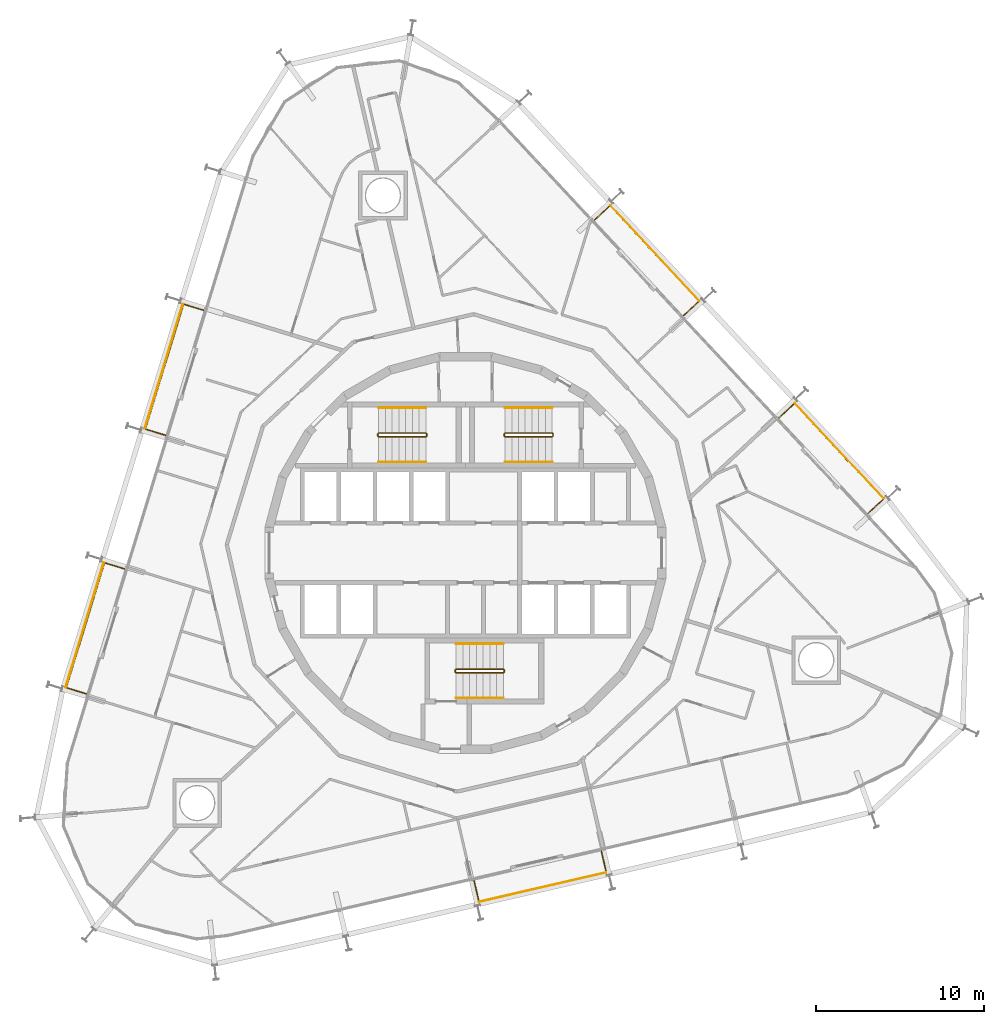
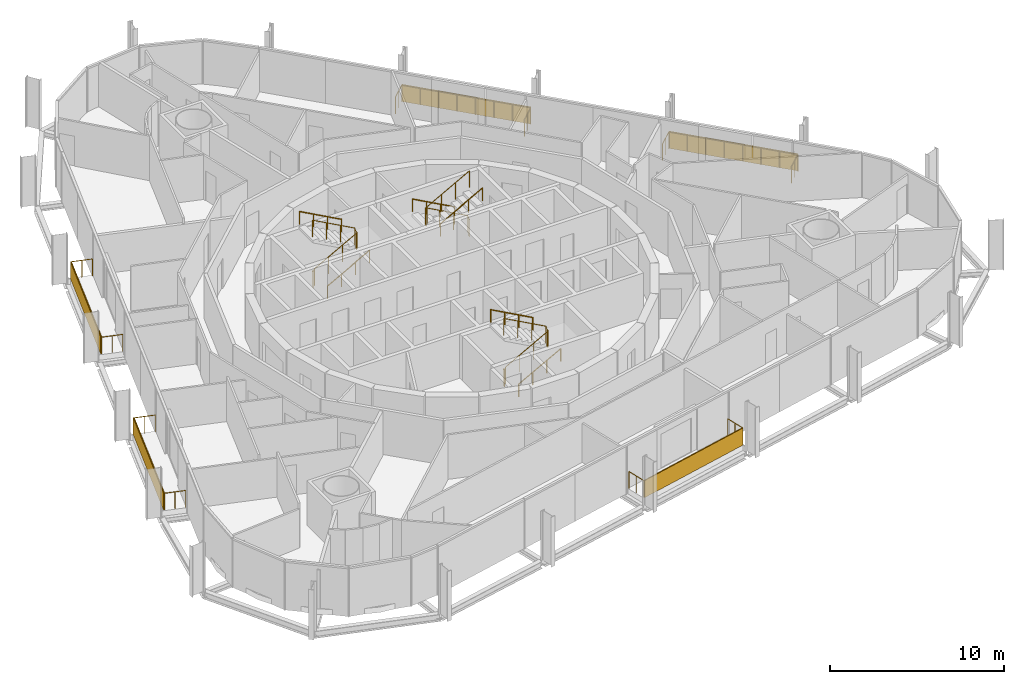
# One storey, part 18 of 18: 14 railings, 5 shading devices.
"""IFC4 building model written with IfcOpenShell, lengths in metres."""

from ifc_helpers import new_model, si_unit, direction, frame, origin, origin_2d, place, context, subcontext, project, spatial, rectangle, circle, extrude, material, layer, layer_set, type_object, element, save


model = new_model("IFC4")

# Units and contexts
model_context = context("Model", 3, precision=1e-05, world=origin(), true_north=direction((0.0, 1.0)))
body_context = subcontext(model_context, "Body", "Model", "MODEL_VIEW")
ifc_project = project(units=[si_unit("LENGTHUNIT", "METRE"), si_unit("AREAUNIT", "SQUARE_METRE"), si_unit("VOLUMEUNIT", "CUBIC_METRE"), si_unit("PLANEANGLEUNIT", "RADIAN"), si_unit("MASSUNIT", "GRAM", prefix="KILO")], contexts=[model_context])

# Site, building, storey
site_placement = place(None, origin())
site = spatial("IfcSite", under=ifc_project, at=site_placement, CompositionType="ELEMENT")
building_placement = place(site_placement, origin())
building = spatial("IfcBuilding", under=site, at=building_placement, Name="Spindle Arch Residences", CompositionType="ELEMENT")
storey_placement = place(building_placement, frame((0.0, 0.0, 123.89990234375)))
storey = spatial("IfcBuildingStorey", under=building, at=storey_placement, Name="L30", CompositionType="ELEMENT", Elevation=123.89990234375)

# Railings
ifc_material_1 = material(Name="Bronze anodised aluminium guard with glass infill", Category="aluminium")
railing_type_1 = type_object("IfcRailingType", Name="Balcony guard 1200", PredefinedType="GUARDRAIL", material=ifc_material_1)
railing_1_placement = place(storey_placement, frame((23.90185546875, 2.34619140625, 0.0)))
element("IfcRailing", 1, at=railing_1_placement, inside=storey, type_object=railing_type_1, Name="Guard L30 bay 6", PredefinedType="GUARDRAIL", context=body_context, shape_type="SweptSolid", body=[
    extrude(circle(Radius=0.02392578125, at=origin_2d()), frame((0.0, 0.0, 1.17578125), z_axis=(0.731379904041, 0.681970260323, 0.0), x_axis=(-0.681970260323, 0.731379904041, 0.0)), (0.0, 0.0, 1.0), 1.25),
    extrude(circle(Radius=0.02392578125, at=origin_2d()), frame((0.914306640625, 0.8525390625, 1.17578125), z_axis=(-0.681991953625, 0.731359675666, 0.0), x_axis=(-0.731359675666, -0.681991953625, 0.0)), (0.0, 0.0, 1.0), 7.75927734375),
    extrude(circle(Radius=0.02392578125, at=origin_2d()), frame((-4.37744140625, 6.52734375, 1.17578125), z_axis=(-0.731379904041, -0.681970260323, 0.0), x_axis=(0.681970260323, -0.731379904041, 0.0)), (0.0, 0.0, 1.0), 1.25),
    extrude(circle(Radius=0.02099609375, at=origin_2d()), origin(), (0.0, 0.0, 1.0), 1.15185546875),
    extrude(circle(Radius=0.02099609375, at=origin_2d()), frame((0.45703125, 0.42626953125, 0.0)), (0.0, 0.0, 1.0), 1.15185546875),
    extrude(circle(Radius=0.02099609375, at=origin_2d()), frame((0.914306640625, 0.8525390625, 0.0)), (0.0, 0.0, 1.0), 1.15185546875),
    extrude(circle(Radius=0.02099609375, at=origin_2d()), frame((0.158447265625, 1.663330078125, 0.0)), (0.0, 0.0, 1.0), 1.15185546875),
    extrude(circle(Radius=0.02099609375, at=origin_2d()), frame((-0.59765625, 2.473876953125, 0.0)), (0.0, 0.0, 1.0), 1.15185546875),
    extrude(circle(Radius=0.02099609375, at=origin_2d()), frame((-1.353515625, 3.28466796875, 0.0)), (0.0, 0.0, 1.0), 1.15185546875),
    extrude(circle(Radius=0.02099609375, at=origin_2d()), frame((-2.109619140625, 4.09521484375, 0.0)), (0.0, 0.0, 1.0), 1.15185546875),
    extrude(circle(Radius=0.02099609375, at=origin_2d()), frame((-2.865478515625, 4.906005859375, 0.0)), (0.0, 0.0, 1.0), 1.15185546875),
    extrude(circle(Radius=0.02099609375, at=origin_2d()), frame((-3.62158203125, 5.716552734375, 0.0)), (0.0, 0.0, 1.0), 1.15185546875),
    extrude(circle(Radius=0.02099609375, at=origin_2d()), frame((-4.37744140625, 6.52734375, 0.0)), (0.0, 0.0, 1.0), 1.15185546875),
    extrude(circle(Radius=0.02099609375, at=origin_2d()), frame((-4.83447265625, 6.10107421875, 0.0)), (0.0, 0.0, 1.0), 1.15185546875),
    extrude(circle(Radius=0.02099609375, at=origin_2d()), frame((-5.291748046875, 5.6748046875, 0.0)), (0.0, 0.0, 1.0), 1.15185546875),
])
railing_2_placement = place(storey_placement, frame((12.9501953125, 14.090576171875, 0.0)))
element("IfcRailing", 2, at=railing_2_placement, inside=storey, type_object=railing_type_1, Name="Guard L30 bay 8", PredefinedType="GUARDRAIL", context=body_context, shape_type="SweptSolid", body=[
    extrude(circle(Radius=0.02392578125, at=origin_2d()), frame((0.0, 0.0, 1.17578125), z_axis=(0.731289056092, 0.682067677317, 0.0), x_axis=(-0.682067677317, 0.731289056092, 0.0)), (0.0, 0.0, 1.0), 1.25),
    extrude(circle(Radius=0.02392578125, at=origin_2d()), frame((0.9140625, 0.8525390625, 1.17578125), z_axis=(-0.682007647712, 0.731345040635, 0.0), x_axis=(-0.731345040635, -0.682007647712, 0.0)), (0.0, 0.0, 1.0), 7.759033203125),
    extrude(circle(Radius=0.02392578125, at=origin_2d()), frame((-4.377685546875, 6.527099609375, 1.17578125), z_axis=(-0.731386486467, -0.681963200923, 0.0), x_axis=(0.681963200923, -0.731386486467, 0.0)), (0.0, 0.0, 1.0), 1.249755859375),
    extrude(circle(Radius=0.02099609375, at=origin_2d()), origin(), (0.0, 0.0, 1.0), 1.15185546875),
    extrude(circle(Radius=0.02099609375, at=origin_2d()), frame((0.45703125, 0.42626953125, 0.0)), (0.0, 0.0, 1.0), 1.15185546875),
    extrude(circle(Radius=0.02099609375, at=origin_2d()), frame((0.9140625, 0.8525390625, 0.0)), (0.0, 0.0, 1.0), 1.15185546875),
    extrude(circle(Radius=0.02099609375, at=origin_2d()), frame((0.158203125, 1.6630859375, 0.0)), (0.0, 0.0, 1.0), 1.15185546875),
    extrude(circle(Radius=0.02099609375, at=origin_2d()), frame((-0.597900390625, 2.473876953125, 0.0)), (0.0, 0.0, 1.0), 1.15185546875),
    extrude(circle(Radius=0.02099609375, at=origin_2d()), frame((-1.353759765625, 3.284423828125, 0.0)), (0.0, 0.0, 1.0), 1.15185546875),
    extrude(circle(Radius=0.02099609375, at=origin_2d()), frame((-2.10986328125, 4.09521484375, 0.0)), (0.0, 0.0, 1.0), 1.15185546875),
    extrude(circle(Radius=0.02099609375, at=origin_2d()), frame((-2.86572265625, 4.90576171875, 0.0)), (0.0, 0.0, 1.0), 1.15185546875),
    extrude(circle(Radius=0.02099609375, at=origin_2d()), frame((-3.621826171875, 5.716552734375, 0.0)), (0.0, 0.0, 1.0), 1.15185546875),
    extrude(circle(Radius=0.02099609375, at=origin_2d()), frame((-4.377685546875, 6.527099609375, 0.0)), (0.0, 0.0, 1.0), 1.15185546875),
    extrude(circle(Radius=0.02099609375, at=origin_2d()), frame((-4.834716796875, 6.10107421875, 0.0)), (0.0, 0.0, 1.0), 1.15185546875),
    extrude(circle(Radius=0.02099609375, at=origin_2d()), frame((-5.291748046875, 5.6748046875, 0.0)), (0.0, 0.0, 1.0), 1.15185546875),
])
railing_3_placement = place(storey_placement, frame((-15.5478515625, 14.40771484375, 0.0)))
element("IfcRailing", 3, at=railing_3_placement, inside=storey, type_object=railing_type_1, Name="Guard L30 bay 14", PredefinedType="GUARDRAIL", context=body_context, shape_type="SweptSolid", body=[
    extrude(circle(Radius=0.02392578125, at=origin_2d()), frame((0.0, 0.0, 1.17578125), z_axis=(-0.95629696894, 0.292397173714, 0.0), x_axis=(-0.292397173714, -0.95629696894, 0.0)), (0.0, 0.0, 1.0), 1.25),
    extrude(circle(Radius=0.02392578125, at=origin_2d()), frame((-1.1953125, 0.365478515625, 1.17578125), z_axis=(-0.29236961561, -0.956305394666, 0.0), x_axis=(0.956305394666, -0.29236961561, 0.0)), (0.0, 0.0, 1.0), 7.75927734375),
    extrude(circle(Radius=0.02392578125, at=origin_2d()), frame((-3.4638671875, -7.0546875, 1.17578125), z_axis=(0.95629696894, -0.292397173714, 0.0), x_axis=(0.292397173714, 0.95629696894, 0.0)), (0.0, 0.0, 1.0), 1.25),
    extrude(circle(Radius=0.02099609375, at=origin_2d()), origin(), (0.0, 0.0, 1.0), 1.15185546875),
    extrude(circle(Radius=0.02099609375, at=origin_2d()), frame((-0.59765625, 0.1826171875, 0.0)), (0.0, 0.0, 1.0), 1.15185546875),
    extrude(circle(Radius=0.02099609375, at=origin_2d()), frame((-1.1953125, 0.365478515625, 0.0)), (0.0, 0.0, 1.0), 1.15185546875),
    extrude(circle(Radius=0.02099609375, at=origin_2d()), frame((-1.519287109375, -0.694580078125, 0.0)), (0.0, 0.0, 1.0), 1.15185546875),
    extrude(circle(Radius=0.02099609375, at=origin_2d()), frame((-1.843505859375, -1.754638671875, 0.0)), (0.0, 0.0, 1.0), 1.15185546875),
    extrude(circle(Radius=0.02099609375, at=origin_2d()), frame((-2.16748046875, -2.814697265625, 0.0)), (0.0, 0.0, 1.0), 1.15185546875),
    extrude(circle(Radius=0.02099609375, at=origin_2d()), frame((-2.49169921875, -3.87451171875, 0.0)), (0.0, 0.0, 1.0), 1.15185546875),
    extrude(circle(Radius=0.02099609375, at=origin_2d()), frame((-2.815673828125, -4.9345703125, 0.0)), (0.0, 0.0, 1.0), 1.15185546875),
    extrude(circle(Radius=0.02099609375, at=origin_2d()), frame((-3.139892578125, -5.99462890625, 0.0)), (0.0, 0.0, 1.0), 1.15185546875),
    extrude(circle(Radius=0.02099609375, at=origin_2d()), frame((-3.4638671875, -7.0546875, 0.0)), (0.0, 0.0, 1.0), 1.15185546875),
    extrude(circle(Radius=0.02099609375, at=origin_2d()), frame((-2.8662109375, -7.2373046875, 0.0)), (0.0, 0.0, 1.0), 1.15185546875),
    extrude(circle(Radius=0.02099609375, at=origin_2d()), frame((-2.2685546875, -7.420166015625, 0.0)), (0.0, 0.0, 1.0), 1.15185546875),
])
railing_4_placement = place(storey_placement, frame((-20.242919921875, -0.948974609375, 0.0)))
element("IfcRailing", 4, at=railing_4_placement, inside=storey, type_object=railing_type_1, Name="Guard L30 bay 16", PredefinedType="GUARDRAIL", context=body_context, shape_type="SweptSolid", body=[
    extrude(circle(Radius=0.02392578125, at=origin_2d()), frame((0.0, 0.0, 1.17578125), z_axis=(-0.95629696894, 0.292397173714, 0.0), x_axis=(-0.292397173714, -0.95629696894, 0.0)), (0.0, 0.0, 1.0), 1.25),
    extrude(circle(Radius=0.02392578125, at=origin_2d()), frame((-1.1953125, 0.365478515625, 1.17578125), z_axis=(-0.29236961561, -0.956305394666, 0.0), x_axis=(0.956305394666, -0.29236961561, 0.0)), (0.0, 0.0, 1.0), 7.75927734375),
    extrude(circle(Radius=0.02392578125, at=origin_2d()), frame((-3.4638671875, -7.0546875, 1.17578125), z_axis=(0.95629696894, -0.292397173714, 0.0), x_axis=(0.292397173714, 0.95629696894, 0.0)), (0.0, 0.0, 1.0), 1.25),
    extrude(circle(Radius=0.02099609375, at=origin_2d()), origin(), (0.0, 0.0, 1.0), 1.15185546875),
    extrude(circle(Radius=0.02099609375, at=origin_2d()), frame((-0.59765625, 0.1826171875, 0.0)), (0.0, 0.0, 1.0), 1.15185546875),
    extrude(circle(Radius=0.02099609375, at=origin_2d()), frame((-1.1953125, 0.365478515625, 0.0)), (0.0, 0.0, 1.0), 1.15185546875),
    extrude(circle(Radius=0.02099609375, at=origin_2d()), frame((-1.519287109375, -0.694580078125, 0.0)), (0.0, 0.0, 1.0), 1.15185546875),
    extrude(circle(Radius=0.02099609375, at=origin_2d()), frame((-1.843505859375, -1.754638671875, 0.0)), (0.0, 0.0, 1.0), 1.15185546875),
    extrude(circle(Radius=0.02099609375, at=origin_2d()), frame((-2.16748046875, -2.814697265625, 0.0)), (0.0, 0.0, 1.0), 1.15185546875),
    extrude(circle(Radius=0.02099609375, at=origin_2d()), frame((-2.49169921875, -3.87451171875, 0.0)), (0.0, 0.0, 1.0), 1.15185546875),
    extrude(circle(Radius=0.02099609375, at=origin_2d()), frame((-2.815673828125, -4.9345703125, 0.0)), (0.0, 0.0, 1.0), 1.15185546875),
    extrude(circle(Radius=0.02099609375, at=origin_2d()), frame((-3.139892578125, -5.99462890625, 0.0)), (0.0, 0.0, 1.0), 1.15185546875),
    extrude(circle(Radius=0.02099609375, at=origin_2d()), frame((-3.4638671875, -7.0546875, 0.0)), (0.0, 0.0, 1.0), 1.15185546875),
    extrude(circle(Radius=0.02099609375, at=origin_2d()), frame((-2.8662109375, -7.2373046875, 0.0)), (0.0, 0.0, 1.0), 1.15185546875),
    extrude(circle(Radius=0.02099609375, at=origin_2d()), frame((-2.2685546875, -7.420166015625, 0.0)), (0.0, 0.0, 1.0), 1.15185546875),
])
railing_5_placement = place(storey_placement, frame((0.51220703125, -19.464599609375, 0.0)))
element("IfcRailing", 5, at=railing_5_placement, inside=storey, type_object=railing_type_1, Name="Guard L30 bay 22", PredefinedType="GUARDRAIL", context=body_context, shape_type="SweptSolid", body=[
    extrude(circle(Radius=0.02392578125, at=origin_2d()), frame((0.0, 0.0, 1.17578125), z_axis=(0.224802449297, -0.974404361028, 0.0), x_axis=(0.974404361028, 0.224802449297, 0.0)), (0.0, 0.0, 1.0), 1.25),
    extrude(circle(Radius=0.02392578125, at=origin_2d()), frame((0.281005859375, -1.218017578125, 1.17578125), z_axis=(0.974365204353, 0.224972106149, 0.0), x_axis=(-0.224972106149, 0.974365204353, 0.0)), (0.0, 0.0, 1.0), 7.75927734375),
    extrude(circle(Radius=0.02392578125, at=origin_2d()), frame((7.84130859375, 0.527587890625, 1.17578125), z_axis=(-0.224845239705, 0.974394487968, 0.0), x_axis=(-0.974394487968, -0.224845239705, 0.0)), (0.0, 0.0, 1.0), 1.249755859375),
    extrude(circle(Radius=0.02099609375, at=origin_2d()), origin(), (0.0, 0.0, 1.0), 1.15185546875),
    extrude(circle(Radius=0.02099609375, at=origin_2d()), frame((0.140625, -0.60888671875, 0.0)), (0.0, 0.0, 1.0), 1.15185546875),
    extrude(circle(Radius=0.02099609375, at=origin_2d()), frame((0.281005859375, -1.218017578125, 0.0)), (0.0, 0.0, 1.0), 1.15185546875),
    extrude(circle(Radius=0.02099609375, at=origin_2d()), frame((1.361083984375, -0.96875, 0.0)), (0.0, 0.0, 1.0), 1.15185546875),
    extrude(circle(Radius=0.02099609375, at=origin_2d()), frame((2.441162109375, -0.71923828125, 0.0)), (0.0, 0.0, 1.0), 1.15185546875),
    extrude(circle(Radius=0.02099609375, at=origin_2d()), frame((3.521240234375, -0.469970703125, 0.0)), (0.0, 0.0, 1.0), 1.15185546875),
    extrude(circle(Radius=0.02099609375, at=origin_2d()), frame((4.60107421875, -0.220458984375, 0.0)), (0.0, 0.0, 1.0), 1.15185546875),
    extrude(circle(Radius=0.02099609375, at=origin_2d()), frame((5.68115234375, 0.02880859375, 0.0)), (0.0, 0.0, 1.0), 1.15185546875),
    extrude(circle(Radius=0.02099609375, at=origin_2d()), frame((6.76123046875, 0.2783203125, 0.0)), (0.0, 0.0, 1.0), 1.15185546875),
    extrude(circle(Radius=0.02099609375, at=origin_2d()), frame((7.84130859375, 0.527587890625, 0.0)), (0.0, 0.0, 1.0), 1.15185546875),
    extrude(circle(Radius=0.02099609375, at=origin_2d()), frame((7.70068359375, 1.136474609375, 0.0)), (0.0, 0.0, 1.0), 1.15185546875),
    extrude(circle(Radius=0.02099609375, at=origin_2d()), frame((7.560302734375, 1.745361328125, 0.0)), (0.0, 0.0, 1.0), 1.15185546875),
])

# Shading devices
ifc_material_2 = material(Name="Bronze perforated cobogo screen")
ifc_layer = layer(ifc_material_2, 0.0390625)
ifc_layer_set = layer_set([ifc_layer], Name="Cobogo screen 1200")
shading_device_type = type_object("IfcShadingDeviceType", Name="Cobogo screen 1200", PredefinedType="USERDEFINED", material=ifc_layer_set)
for number, where, z_axis, x_axis, name in (
    (6, (22.199951171875, 6.063720703125, 0.0), (0.0, 0.0, 1.0), (-0.681998360062, 0.731353701619, 0.0), "Cobogo screen L30 bay 6"),
    (7, (11.248046875, 17.80810546875, 0.0), (0.0, 0.0, 1.0), (-0.681998360062, 0.731353701619, 0.0), "Cobogo screen L30 bay 8"),
    (8, (-17.916259765625, 11.074951171875, 0.0), (0.0, 0.0, 1.0), (-0.292371704723, -0.956304755963, 0.0), "Cobogo screen L30 bay 14"),
    (9, (-22.611328125, -4.28173828125, 0.0), (0.0, 0.0, 1.0), (-0.292371704723, -0.956304755963, 0.0), "Cobogo screen L30 bay 16"),
    (10, (4.58251953125, -19.849365234375, 0.0), (0.0, 0.0, 1.0), (0.974370064785, 0.224951054344, 0.0), "Cobogo screen L30 bay 22"),
):
    element("IfcShadingDevice", number, at=place(storey_placement, frame(where, z_axis=z_axis, x_axis=x_axis)), inside=storey, type_object=shading_device_type, Name=name, ObjectType="SCREEN", PredefinedType="USERDEFINED", context=body_context, shape_type="SweptSolid", body=[
        extrude(rectangle(XDim=7.75927734375, YDim=0.0390625, at=origin_2d()), origin(), (0.0, 0.0, 1.0), 1.199951171875),
    ])

# Railings
ifc_material_3 = material(Name="Steel, painted", Category="steel")
railing_type_2 = type_object("IfcRailingType", Name="Stair guard 1100", PredefinedType="GUARDRAIL", material=ifc_material_3)
railing_6_placement = place(storey_placement, frame((5.14990234375, 6.89990234375, 3.5)))
element("IfcRailing", 11, at=railing_6_placement, inside=storey, type_object=railing_type_2, Name="L30 ST1 stair guard 1", PredefinedType="GUARDRAIL", context=body_context, shape_type="SweptSolid", body=[
    extrude(circle(Radius=0.02392578125, at=origin_2d()), frame((0.0, 0.0, 1.17578125), z_axis=(-0.877357048833, 0.0, -0.479838106931), x_axis=(0.0, -1.0, 0.0)), (0.0, 0.0, 1.0), 3.191162109375),
    extrude(circle(Radius=0.02392578125, at=origin_2d()), frame((-2.7998046875, 0.0, -0.35546875), z_axis=(-0.217683172539, 0.217683172539, -0.951434744366), x_axis=(-0.707106781187, -0.707106781187, 0.0)), (0.0, 0.0, 1.0), 0.22998046875),
    extrude(circle(Radius=0.02392578125, at=origin_2d()), frame((-2.849853515625, 0.050048828125, -0.57421875), z_axis=(0.0, 1.0, 0.0), x_axis=(-1.0, 0.0, 0.0)), (0.0, 0.0, 1.0), 0.1201171875),
    extrude(circle(Radius=0.02392578125, at=origin_2d()), frame((-2.849853515625, 0.170166015625, -0.57421875), z_axis=(0.707106781187, 0.707106781187, 0.0), x_axis=(-0.707106781187, 0.707106781187, 0.0)), (0.0, 0.0, 1.0), 0.07080078125),
    extrude(circle(Radius=0.02392578125, at=origin_2d()), frame((-2.7998046875, 0.22021484375, -0.57421875), z_axis=(0.877357048833, 0.0, -0.479838106931), x_axis=(0.0, 1.0, 0.0)), (0.0, 0.0, 1.0), 3.191162109375),
    extrude(circle(Radius=0.02392578125, at=origin_2d()), frame((0.0, 0.22021484375, -2.10546875), z_axis=(0.217683172539, -0.217683172539, -0.951434744366), x_axis=(0.707106781187, 0.707106781187, 0.0)), (0.0, 0.0, 1.0), 0.22998046875),
    extrude(circle(Radius=0.02392578125, at=origin_2d()), frame((0.050048828125, 0.170166015625, -2.32421875), z_axis=(0.0, -1.0, 0.0), x_axis=(1.0, 0.0, 0.0)), (0.0, 0.0, 1.0), 0.1201171875),
    extrude(circle(Radius=0.02099609375, at=origin_2d()), origin(), (0.0, 0.0, 1.0), 1.15185546875),
    extrude(circle(Radius=0.02099609375, at=origin_2d()), frame((-0.933349609375, 0.0, -0.510498046875)), (0.0, 0.0, 1.0), 1.15185546875),
    extrude(circle(Radius=0.02099609375, at=origin_2d()), frame((-1.866455078125, 0.0, -1.020751953125)), (0.0, 0.0, 1.0), 1.15185546875),
    extrude(circle(Radius=0.02099609375, at=origin_2d()), frame((-2.7998046875, 0.0, -1.53125)), (0.0, 0.0, 1.0), 1.15185546875),
    extrude(circle(Radius=0.02099609375, at=origin_2d()), frame((-2.849853515625, 0.050048828125, -1.75)), (0.0, 0.0, 1.0), 1.15185546875),
    extrude(circle(Radius=0.02099609375, at=origin_2d()), frame((-2.849853515625, 0.170166015625, -1.75)), (0.0, 0.0, 1.0), 1.15185546875),
    extrude(circle(Radius=0.02099609375, at=origin_2d()), frame((-2.7998046875, 0.22021484375, -1.75)), (0.0, 0.0, 1.0), 1.15185546875),
    extrude(circle(Radius=0.02099609375, at=origin_2d()), frame((-1.866455078125, 0.22021484375, -2.260498046875)), (0.0, 0.0, 1.0), 1.15185546875),
    extrude(circle(Radius=0.02099609375, at=origin_2d()), frame((-0.933349609375, 0.22021484375, -2.770751953125)), (0.0, 0.0, 1.0), 1.15185546875),
    extrude(circle(Radius=0.02099609375, at=origin_2d()), frame((0.0, 0.22021484375, -3.28125)), (0.0, 0.0, 1.0), 1.15185546875),
    extrude(circle(Radius=0.02099609375, at=origin_2d()), frame((0.050048828125, 0.170166015625, -3.5)), (0.0, 0.0, 1.0), 1.15185546875),
    extrude(circle(Radius=0.02099609375, at=origin_2d()), frame((0.050048828125, 0.050048828125, -3.5)), (0.0, 0.0, 1.0), 1.15185546875),
])
railing_7_placement = place(storey_placement, frame((-5.14990234375, 7.1201171875, 3.5)))
element("IfcRailing", 12, at=railing_7_placement, inside=storey, type_object=railing_type_2, Name="L30 ST2 stair guard 1", PredefinedType="GUARDRAIL", context=body_context, shape_type="SweptSolid", body=[
    extrude(circle(Radius=0.02392578125, at=origin_2d()), frame((0.0, 0.0, 1.17578125), z_axis=(0.877357048833, 0.0, -0.479838106931), x_axis=(0.0, 1.0, 0.0)), (0.0, 0.0, 1.0), 3.191162109375),
    extrude(circle(Radius=0.02392578125, at=origin_2d()), frame((2.7998046875, 0.0, -0.35546875), z_axis=(0.217683172539, -0.217683172539, -0.951434744366), x_axis=(0.707106781187, 0.707106781187, 0.0)), (0.0, 0.0, 1.0), 0.22998046875),
    extrude(circle(Radius=0.02392578125, at=origin_2d()), frame((2.849853515625, -0.050048828125, -0.57421875), z_axis=(0.0, -1.0, 0.0), x_axis=(1.0, 0.0, 0.0)), (0.0, 0.0, 1.0), 0.1201171875),
    extrude(circle(Radius=0.02392578125, at=origin_2d()), frame((2.849853515625, -0.170166015625, -0.57421875), z_axis=(-0.707106781187, -0.707106781187, 0.0), x_axis=(0.707106781187, -0.707106781187, 0.0)), (0.0, 0.0, 1.0), 0.07080078125),
    extrude(circle(Radius=0.02392578125, at=origin_2d()), frame((2.7998046875, -0.22021484375, -0.57421875), z_axis=(-0.877357048833, 0.0, -0.479838106931), x_axis=(0.0, -1.0, 0.0)), (0.0, 0.0, 1.0), 3.191162109375),
    extrude(circle(Radius=0.02392578125, at=origin_2d()), frame((0.0, -0.22021484375, -2.10546875), z_axis=(-0.217683172539, 0.217683172539, -0.951434744366), x_axis=(-0.707106781187, -0.707106781187, 0.0)), (0.0, 0.0, 1.0), 0.22998046875),
    extrude(circle(Radius=0.02392578125, at=origin_2d()), frame((-0.050048828125, -0.170166015625, -2.32421875), z_axis=(0.0, 1.0, 0.0), x_axis=(-1.0, 0.0, 0.0)), (0.0, 0.0, 1.0), 0.1201171875),
    extrude(circle(Radius=0.02099609375, at=origin_2d()), origin(), (0.0, 0.0, 1.0), 1.15185546875),
    extrude(circle(Radius=0.02099609375, at=origin_2d()), frame((0.933349609375, 0.0, -0.510498046875)), (0.0, 0.0, 1.0), 1.15185546875),
    extrude(circle(Radius=0.02099609375, at=origin_2d()), frame((1.866455078125, 0.0, -1.020751953125)), (0.0, 0.0, 1.0), 1.15185546875),
    extrude(circle(Radius=0.02099609375, at=origin_2d()), frame((2.7998046875, 0.0, -1.53125)), (0.0, 0.0, 1.0), 1.15185546875),
    extrude(circle(Radius=0.02099609375, at=origin_2d()), frame((2.849853515625, -0.050048828125, -1.75)), (0.0, 0.0, 1.0), 1.15185546875),
    extrude(circle(Radius=0.02099609375, at=origin_2d()), frame((2.849853515625, -0.170166015625, -1.75)), (0.0, 0.0, 1.0), 1.15185546875),
    extrude(circle(Radius=0.02099609375, at=origin_2d()), frame((2.7998046875, -0.22021484375, -1.75)), (0.0, 0.0, 1.0), 1.15185546875),
    extrude(circle(Radius=0.02099609375, at=origin_2d()), frame((1.866455078125, -0.22021484375, -2.260498046875)), (0.0, 0.0, 1.0), 1.15185546875),
    extrude(circle(Radius=0.02099609375, at=origin_2d()), frame((0.933349609375, -0.22021484375, -2.770751953125)), (0.0, 0.0, 1.0), 1.15185546875),
    extrude(circle(Radius=0.02099609375, at=origin_2d()), frame((0.0, -0.22021484375, -3.28125)), (0.0, 0.0, 1.0), 1.15185546875),
    extrude(circle(Radius=0.02099609375, at=origin_2d()), frame((-0.050048828125, -0.170166015625, -3.5)), (0.0, 0.0, 1.0), 1.15185546875),
    extrude(circle(Radius=0.02099609375, at=origin_2d()), frame((-0.050048828125, -0.050048828125, -3.5)), (0.0, 0.0, 1.0), 1.15185546875),
])
railing_8_placement = place(storey_placement, frame((-0.550048828125, -6.89990234375, 3.5)))
element("IfcRailing", 13, at=railing_8_placement, inside=storey, type_object=railing_type_2, Name="L30 ST3 stair guard 1", PredefinedType="GUARDRAIL", context=body_context, shape_type="SweptSolid", body=[
    extrude(circle(Radius=0.02392578125, at=origin_2d()), frame((0.0, 0.0, 1.17578125), z_axis=(0.877374661878, 0.0, -0.479805901063), x_axis=(0.0, 1.0, 0.0)), (0.0, 0.0, 1.0), 3.19140625),
    extrude(circle(Radius=0.02392578125, at=origin_2d()), frame((2.800048828125, 0.0, -0.35546875), z_axis=(0.217683172539, -0.217683172539, -0.951434744366), x_axis=(0.707106781187, 0.707106781187, 0.0)), (0.0, 0.0, 1.0), 0.22998046875),
    extrude(circle(Radius=0.02392578125, at=origin_2d()), frame((2.85009765625, -0.050048828125, -0.57421875), z_axis=(0.0, -1.0, 0.0), x_axis=(1.0, 0.0, 0.0)), (0.0, 0.0, 1.0), 0.1201171875),
    extrude(circle(Radius=0.02392578125, at=origin_2d()), frame((2.85009765625, -0.170166015625, -0.57421875), z_axis=(-0.707106781187, -0.707106781187, 0.0), x_axis=(0.707106781187, -0.707106781187, 0.0)), (0.0, 0.0, 1.0), 0.07080078125),
    extrude(circle(Radius=0.02392578125, at=origin_2d()), frame((2.800048828125, -0.22021484375, -0.57421875), z_axis=(-0.877374661878, 0.0, -0.479805901063), x_axis=(0.0, -1.0, 0.0)), (0.0, 0.0, 1.0), 3.19140625),
    extrude(circle(Radius=0.02392578125, at=origin_2d()), frame((0.0, -0.22021484375, -2.10546875), z_axis=(-0.217683172539, 0.217683172539, -0.951434744366), x_axis=(-0.707106781187, -0.707106781187, 0.0)), (0.0, 0.0, 1.0), 0.22998046875),
    extrude(circle(Radius=0.02392578125, at=origin_2d()), frame((-0.050048828125, -0.170166015625, -2.32421875), z_axis=(0.0, 1.0, 0.0), x_axis=(-1.0, 0.0, 0.0)), (0.0, 0.0, 1.0), 0.1201171875),
    extrude(circle(Radius=0.02099609375, at=origin_2d()), origin(), (0.0, 0.0, 1.0), 1.15185546875),
    extrude(circle(Radius=0.02099609375, at=origin_2d()), frame((0.933349609375, 0.0, -0.510498046875)), (0.0, 0.0, 1.0), 1.15185546875),
    extrude(circle(Radius=0.02099609375, at=origin_2d()), frame((1.86669921875, 0.0, -1.020751953125)), (0.0, 0.0, 1.0), 1.15185546875),
    extrude(circle(Radius=0.02099609375, at=origin_2d()), frame((2.800048828125, 0.0, -1.53125)), (0.0, 0.0, 1.0), 1.15185546875),
    extrude(circle(Radius=0.02099609375, at=origin_2d()), frame((2.85009765625, -0.050048828125, -1.75)), (0.0, 0.0, 1.0), 1.15185546875),
    extrude(circle(Radius=0.02099609375, at=origin_2d()), frame((2.85009765625, -0.170166015625, -1.75)), (0.0, 0.0, 1.0), 1.15185546875),
    extrude(circle(Radius=0.02099609375, at=origin_2d()), frame((2.800048828125, -0.22021484375, -1.75)), (0.0, 0.0, 1.0), 1.15185546875),
    extrude(circle(Radius=0.02099609375, at=origin_2d()), frame((1.86669921875, -0.22021484375, -2.260498046875)), (0.0, 0.0, 1.0), 1.15185546875),
    extrude(circle(Radius=0.02099609375, at=origin_2d()), frame((0.933349609375, -0.22021484375, -2.770751953125)), (0.0, 0.0, 1.0), 1.15185546875),
    extrude(circle(Radius=0.02099609375, at=origin_2d()), frame((0.0, -0.22021484375, -3.28125)), (0.0, 0.0, 1.0), 1.15185546875),
    extrude(circle(Radius=0.02099609375, at=origin_2d()), frame((-0.050048828125, -0.170166015625, -3.5)), (0.0, 0.0, 1.0), 1.15185546875),
    extrude(circle(Radius=0.02099609375, at=origin_2d()), frame((-0.050048828125, -0.050048828125, -3.5)), (0.0, 0.0, 1.0), 1.15185546875),
])
ifc_material_4 = material(Name="Steel, painted", Category="steel")
railing_type_3 = type_object("IfcRailingType", Name="Stair handrail 900", PredefinedType="HANDRAIL", material=ifc_material_4)
railing_9_placement = place(storey_placement, frame((5.14990234375, 8.6201171875, 0.21875)))
element("IfcRailing", 14, at=railing_9_placement, inside=storey, type_object=railing_type_3, Name="L30 ST1 stair handrail 1", PredefinedType="HANDRAIL", context=body_context, shape_type="SweptSolid", body=[
    extrude(circle(Radius=0.02392578125, at=origin_2d()), frame((0.0, 0.0, 0.8759765625), z_axis=(-0.877357048833, 0.0, 0.479838106931), x_axis=(0.0, -1.0, 0.0)), (0.0, 0.0, 1.0), 3.191162109375),
    extrude(circle(Radius=0.02099609375, at=origin_2d()), origin(), (0.0, 0.0, 1.0), 0.851806640625),
    extrude(circle(Radius=0.02099609375, at=origin_2d()), frame((-0.933349609375, 0.0, 0.510498046875)), (0.0, 0.0, 1.0), 0.851806640625),
    extrude(circle(Radius=0.02099609375, at=origin_2d()), frame((-1.866455078125, 0.0, 1.020751953125)), (0.0, 0.0, 1.0), 0.851806640625),
    extrude(circle(Radius=0.02099609375, at=origin_2d()), frame((-2.7998046875, 0.0, 1.53125)), (0.0, 0.0, 1.0), 0.851806640625),
])
for number, where, name in (
    (15, (2.35009765625, 5.39990234375, 1.96875), "L30 ST1 stair handrail 2"),
    (16, (-5.14990234375, 5.39990234375, 0.21875), "L30 ST2 stair handrail 1"),
):
    element("IfcRailing", number, at=place(storey_placement, frame(where)), inside=storey, type_object=railing_type_3, Name=name, PredefinedType="HANDRAIL", context=body_context, shape_type="SweptSolid", body=[
        extrude(circle(Radius=0.02392578125, at=origin_2d()), frame((0.0, 0.0, 0.8759765625), z_axis=(0.877357048833, 0.0, 0.479838106931), x_axis=(0.0, 1.0, 0.0)), (0.0, 0.0, 1.0), 3.191162109375),
        extrude(circle(Radius=0.02099609375, at=origin_2d()), origin(), (0.0, 0.0, 1.0), 0.851806640625),
        extrude(circle(Radius=0.02099609375, at=origin_2d()), frame((0.933349609375, 0.0, 0.510498046875)), (0.0, 0.0, 1.0), 0.851806640625),
        extrude(circle(Radius=0.02099609375, at=origin_2d()), frame((1.866455078125, 0.0, 1.020751953125)), (0.0, 0.0, 1.0), 0.851806640625),
        extrude(circle(Radius=0.02099609375, at=origin_2d()), frame((2.7998046875, 0.0, 1.53125)), (0.0, 0.0, 1.0), 0.851806640625),
    ])
railing_10_placement = place(storey_placement, frame((-2.35009765625, 8.6201171875, 1.96875)))
element("IfcRailing", 17, at=railing_10_placement, inside=storey, type_object=railing_type_3, Name="L30 ST2 stair handrail 2", PredefinedType="HANDRAIL", context=body_context, shape_type="SweptSolid", body=[
    extrude(circle(Radius=0.02392578125, at=origin_2d()), frame((0.0, 0.0, 0.8759765625), z_axis=(-0.877357048833, 0.0, 0.479838106931), x_axis=(0.0, -1.0, 0.0)), (0.0, 0.0, 1.0), 3.191162109375),
    extrude(circle(Radius=0.02099609375, at=origin_2d()), origin(), (0.0, 0.0, 1.0), 0.851806640625),
    extrude(circle(Radius=0.02099609375, at=origin_2d()), frame((-0.933349609375, 0.0, 0.510498046875)), (0.0, 0.0, 1.0), 0.851806640625),
    extrude(circle(Radius=0.02099609375, at=origin_2d()), frame((-1.866455078125, 0.0, 1.020751953125)), (0.0, 0.0, 1.0), 0.851806640625),
    extrude(circle(Radius=0.02099609375, at=origin_2d()), frame((-2.7998046875, 0.0, 1.53125)), (0.0, 0.0, 1.0), 0.851806640625),
])
railing_11_placement = place(storey_placement, frame((-0.550048828125, -8.6201171875, 0.21875)))
element("IfcRailing", 18, at=railing_11_placement, inside=storey, type_object=railing_type_3, Name="L30 ST3 stair handrail 1", PredefinedType="HANDRAIL", context=body_context, shape_type="SweptSolid", body=[
    extrude(circle(Radius=0.02392578125, at=origin_2d()), frame((0.0, 0.0, 0.8759765625), z_axis=(0.877374661878, 0.0, 0.479805901063), x_axis=(0.0, 1.0, 0.0)), (0.0, 0.0, 1.0), 3.19140625),
    extrude(circle(Radius=0.02099609375, at=origin_2d()), origin(), (0.0, 0.0, 1.0), 0.851806640625),
    extrude(circle(Radius=0.02099609375, at=origin_2d()), frame((0.933349609375, 0.0, 0.510498046875)), (0.0, 0.0, 1.0), 0.851806640625),
    extrude(circle(Radius=0.02099609375, at=origin_2d()), frame((1.86669921875, 0.0, 1.020751953125)), (0.0, 0.0, 1.0), 0.851806640625),
    extrude(circle(Radius=0.02099609375, at=origin_2d()), frame((2.800048828125, 0.0, 1.53125)), (0.0, 0.0, 1.0), 0.851806640625),
])
railing_12_placement = place(storey_placement, frame((2.25, -5.39990234375, 1.96875)))
element("IfcRailing", 19, at=railing_12_placement, inside=storey, type_object=railing_type_3, Name="L30 ST3 stair handrail 2", PredefinedType="HANDRAIL", context=body_context, shape_type="SweptSolid", body=[
    extrude(circle(Radius=0.02392578125, at=origin_2d()), frame((0.0, 0.0, 0.8759765625), z_axis=(-0.877374661878, 0.0, 0.479805901063), x_axis=(0.0, -1.0, 0.0)), (0.0, 0.0, 1.0), 3.19140625),
    extrude(circle(Radius=0.02099609375, at=origin_2d()), origin(), (0.0, 0.0, 1.0), 0.851806640625),
    extrude(circle(Radius=0.02099609375, at=origin_2d()), frame((-0.933349609375, 0.0, 0.510498046875)), (0.0, 0.0, 1.0), 0.851806640625),
    extrude(circle(Radius=0.02099609375, at=origin_2d()), frame((-1.86669921875, 0.0, 1.020751953125)), (0.0, 0.0, 1.0), 0.851806640625),
    extrude(circle(Radius=0.02099609375, at=origin_2d()), frame((-2.800048828125, 0.0, 1.53125)), (0.0, 0.0, 1.0), 0.851806640625),
])

save(model, "model.ifc")
